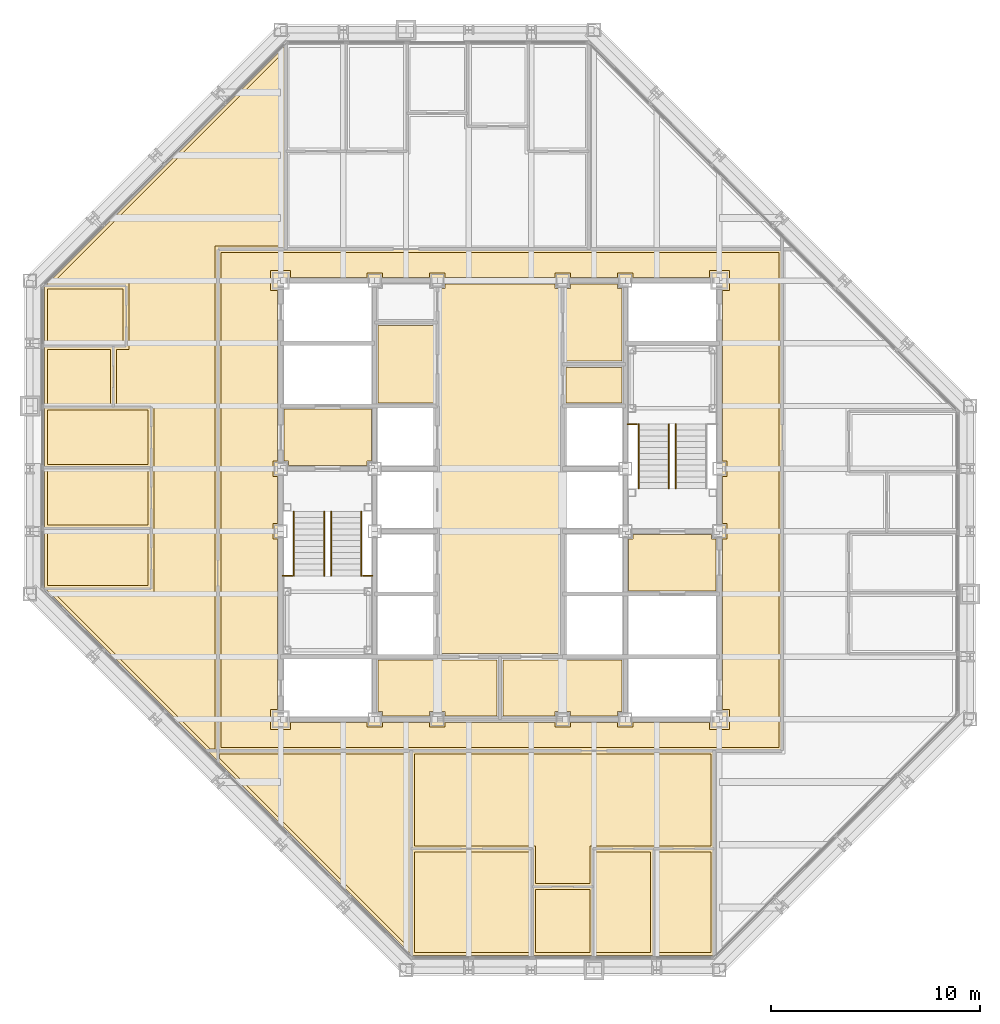
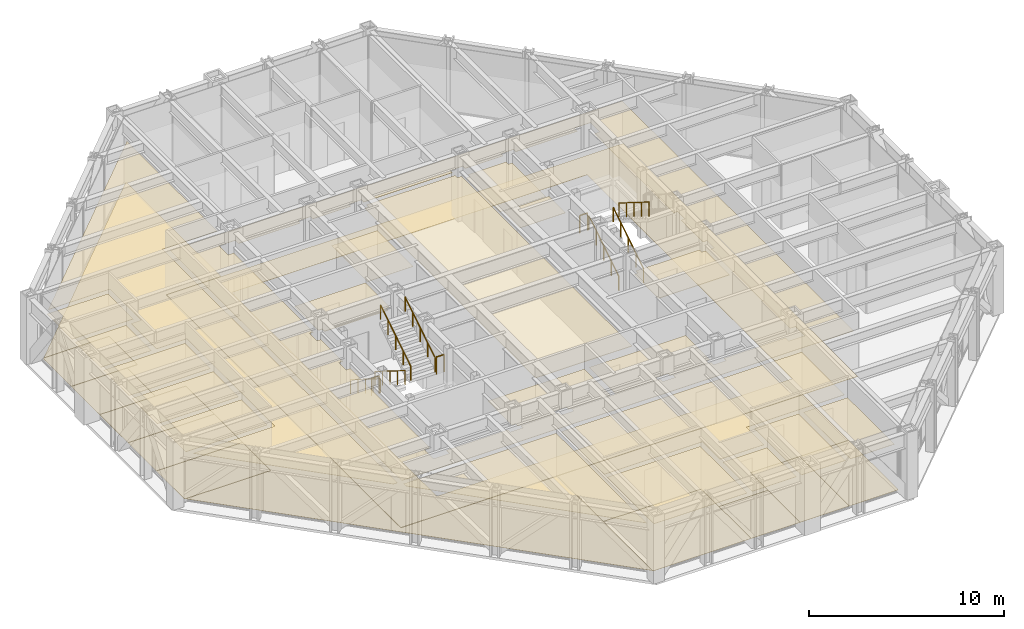
# One storey, part 15 of 16: 33 coverings, 10 railings.
"""IFC4 building model written with IfcOpenShell, lengths in metres."""

from ifc_helpers import new_model, si_unit, direction, frame, origin, origin_2d, place, context, subcontext, project, spatial, polyline, circle, outline, extrude, material, layer, layer_set, type_object, element, save


model = new_model("IFC4")

# Units and contexts
model_context = context("Model", 3, precision=1e-05, world=origin(), true_north=direction((0.0, 1.0)))
body_context = subcontext(model_context, "Body", "Model", "MODEL_VIEW")
ifc_project = project(units=[si_unit("LENGTHUNIT", "METRE"), si_unit("AREAUNIT", "SQUARE_METRE"), si_unit("VOLUMEUNIT", "CUBIC_METRE"), si_unit("PLANEANGLEUNIT", "RADIAN"), si_unit("MASSUNIT", "GRAM", prefix="KILO")], contexts=[model_context])

# Site, building, storey
site_placement = place(None, origin())
site = spatial("IfcSite", under=ifc_project, at=site_placement, CompositionType="ELEMENT")
building_placement = place(site_placement, origin())
building = spatial("IfcBuilding", under=site, at=building_placement, Name="Chuquiago Exchange Tower", CompositionType="ELEMENT")
storey_placement = place(building_placement, frame((0.0, 0.0, 205.5)))
storey = spatial("IfcBuildingStorey", under=building, at=storey_placement, Name="L45", CompositionType="ELEMENT", Elevation=205.5)

# Coverings
ifc_material_1 = material(Name="Mineral fibre tile, 600 x 600, on pale metal grid", Category="mineral fibre")
ifc_layer_1 = layer(ifc_material_1, 0.02001953125)
ifc_layer_set_1 = layer_set([ifc_layer_1], Name="CL1 suspended tile ceiling 20")
covering_type_1 = type_object("IfcCoveringType", Name="CL1 suspended tile ceiling 20", PredefinedType="CEILING", material=ifc_layer_set_1)
covering_1_placement = place(storey_placement, frame((0.0, 0.0, 2.800048828125)))
element("IfcCovering", 1, at=covering_1_placement, inside=storey, type_object=covering_type_1, Name="Ceiling Meeting room", PredefinedType="CEILING", context=body_context, shape_type="SweptSolid", body=[
    extrude(outline(polyline([(18.3984375, 5.64990234375), (23.899658203125, 5.64990234375), (23.899658203125, 0.85009765625), (18.3984375, 0.85009765625), (18.3984375, 5.64990234375)])), origin(), (0.0, 0.0, 1.0), 0.02001953125),
])
covering_2_placement = place(storey_placement, frame((0.0, 0.0, 2.800048828125)))
element("IfcCovering", 2, at=covering_2_placement, inside=storey, type_object=covering_type_1, Name="Ceiling Focus room", PredefinedType="CEILING", context=body_context, shape_type="SweptSolid", body=[
    extrude(outline(polyline([(24.19970703125, 3.85009765625), (26.80029296875, 3.85009765625), (26.80029296875, 0.85009765625), (24.19970703125, 0.85009765625), (24.19970703125, 3.85009765625)])), origin(), (0.0, 0.0, 1.0), 0.02001953125),
])
covering_3_placement = place(storey_placement, frame((0.0, 0.0, 2.800048828125)))
element("IfcCovering", 3, at=covering_3_placement, inside=storey, type_object=covering_type_1, Name="Ceiling Office", PredefinedType="CEILING", context=body_context, shape_type="SweptSolid", body=[
    extrude(outline(polyline([(27.100341796875, 5.64990234375), (29.700927734375, 5.64990234375), (29.700927734375, 0.85009765625), (27.100341796875, 0.85009765625), (27.100341796875, 5.64990234375)])), origin(), (0.0, 0.0, 1.0), 0.02001953125),
])
covering_4_placement = place(storey_placement, frame((0.0, 0.0, 2.800048828125)))
element("IfcCovering", 4, at=covering_4_placement, inside=storey, type_object=covering_type_1, Name="Ceiling Office", PredefinedType="CEILING", context=body_context, shape_type="SweptSolid", body=[
    extrude(outline(polyline([(30.0009765625, 0.85009765625), (30.0009765625, 5.64990234375), (32.6015625, 5.64990234375), (32.6015625, 0.85009765625), (30.0009765625, 0.85009765625)])), origin(), (0.0, 0.0, 1.0), 0.02001953125),
])
covering_5_placement = place(storey_placement, frame((0.0, 0.0, 2.800048828125)))
element("IfcCovering", 5, at=covering_5_placement, inside=storey, type_object=covering_type_1, Name="Ceiling Meeting room", PredefinedType="CEILING", context=body_context, shape_type="SweptSolid", body=[
    extrude(outline(polyline([(0.85009765625, 20.9990234375), (5.64990234375, 20.9990234375), (5.64990234375, 18.3984375), (0.85009765625, 18.3984375), (0.85009765625, 20.9990234375)])), origin(), (0.0, 0.0, 1.0), 0.02001953125),
])
covering_6_placement = place(storey_placement, frame((0.0, 0.0, 2.800048828125)))
element("IfcCovering", 6, at=covering_6_placement, inside=storey, type_object=covering_type_1, Name="Ceiling Office", PredefinedType="CEILING", context=body_context, shape_type="SweptSolid", body=[
    extrude(outline(polyline([(5.64990234375, 23.899658203125), (5.64990234375, 21.299072265625), (0.85009765625, 21.299072265625), (0.85009765625, 23.899658203125), (5.64990234375, 23.899658203125)])), origin(), (0.0, 0.0, 1.0), 0.02001953125),
])
covering_7_placement = place(storey_placement, frame((0.0, 0.0, 2.800048828125)))
element("IfcCovering", 7, at=covering_7_placement, inside=storey, type_object=covering_type_1, Name="Ceiling Office", PredefinedType="CEILING", context=body_context, shape_type="SweptSolid", body=[
    extrude(outline(polyline([(5.64990234375, 26.80029296875), (5.64990234375, 24.19970703125), (0.85009765625, 24.19970703125), (0.85009765625, 26.80029296875), (5.64990234375, 26.80029296875)])), origin(), (0.0, 0.0, 1.0), 0.02001953125),
])
covering_8_placement = place(storey_placement, frame((0.0, 0.0, 2.800048828125)))
element("IfcCovering", 8, at=covering_8_placement, inside=storey, type_object=covering_type_1, Name="Ceiling Focus room", PredefinedType="CEILING", context=body_context, shape_type="SweptSolid", body=[
    extrude(outline(polyline([(3.85009765625, 29.700927734375), (3.85009765625, 27.100341796875), (0.85009765625, 27.100341796875), (0.85009765625, 29.700927734375), (3.85009765625, 29.700927734375)])), origin(), (0.0, 0.0, 1.0), 0.02001953125),
])
covering_9_placement = place(storey_placement, frame((0.0, 0.0, 2.800048828125)))
element("IfcCovering", 9, at=covering_9_placement, inside=storey, type_object=covering_type_1, Name="Ceiling Pantry", PredefinedType="CEILING", context=body_context, shape_type="SweptSolid", body=[
    extrude(outline(polyline([(4.449951171875, 32.6015625), (4.449951171875, 30.0009765625), (0.85009765625, 30.0009765625), (0.85009765625, 32.6015625), (4.449951171875, 32.6015625)])), origin(), (0.0, 0.0, 1.0), 0.02001953125),
])
covering_10_placement = place(storey_placement, frame((0.0, 0.0, 2.800048828125)))
element("IfcCovering", 10, at=covering_10_placement, inside=storey, type_object=covering_type_1, Name="Ceiling Open office south suite", PredefinedType="CEILING", context=body_context, shape_type="SweptSolid", body=[
    extrude(outline(polyline([(26.80029296875, 5.949951171875), (26.80029296875, 4.14990234375), (24.19970703125, 4.14990234375), (24.19970703125, 5.949951171875), (18.39892578125, 5.949951171875), (18.39892578125, 10.349609375), (32.60107421875, 10.349609375), (32.60107421875, 5.949951171875), (26.80029296875, 5.949951171875)])), origin(), (0.0, 0.0, 1.0), 0.02001953125),
])
covering_11_placement = place(storey_placement, frame((0.0, 0.0, 2.800048828125)))
element("IfcCovering", 11, at=covering_11_placement, inside=storey, type_object=covering_type_1, Name="Ceiling Open office west suite", PredefinedType="CEILING", context=body_context, shape_type="SweptSolid", body=[
    extrude(outline(polyline([(5.949951171875, 18.098388671875), (5.949951171875, 27.100341796875), (4.14990234375, 27.100341796875), (4.14990234375, 29.700927734375), (4.75, 29.700927734375), (4.75, 32.901611328125), (1.103515625, 32.901611328125), (12.097900390625, 43.89599609375), (12.097900390625, 34.650390625), (8.849609375, 34.64990234375), (8.849609375, 10.5849609375), (8.616943359375, 10.5849609375), (1.103515625, 18.098388671875), (5.949951171875, 18.098388671875)])), origin(), (0.0, 0.0, 1.0), 0.02001953125),
])
covering_12_placement = place(storey_placement, frame((0.0, 0.0, 2.800048828125)))
element("IfcCovering", 12, at=covering_12_placement, inside=storey, type_object=covering_type_1, Name="Ceiling Open office west suite", PredefinedType="CEILING", context=body_context, shape_type="SweptSolid", body=[
    extrude(outline(polyline([(18.097900390625, 10.349609375), (18.097900390625, 1.10400390625), (9.0849609375, 10.116943359375), (9.0849609375, 10.35009765625), (18.097900390625, 10.349609375)])), origin(), (0.0, 0.0, 1.0), 0.02001953125),
])
covering_13_placement = place(storey_placement, frame((0.0, 0.0, 2.800048828125)))
element("IfcCovering", 13, at=covering_13_placement, inside=storey, type_object=covering_type_1, Name="Ceiling Tenant corridor", PredefinedType="CEILING", context=body_context, shape_type="SweptSolid", body=[
    extrude(outline(polyline([(9.14990234375, 34.35009765625), (35.85009765625, 34.35009765625), (35.85009765625, 10.64990234375), (9.14990234375, 10.64990234375), (9.14990234375, 34.35009765625)]), holes=[polyline([(11.85009765625, 24.375), (11.625, 24.375), (11.625, 23.625), (11.85009765625, 23.625), (11.85009765625, 21.375), (11.625, 21.375), (11.625, 20.625), (11.85009765625, 20.625), (11.85009765625, 12.47509765625), (11.52490234375, 12.47509765625), (11.52490234375, 11.52490234375), (12.47509765625, 11.52490234375), (12.47509765625, 11.85009765625), (16.125, 11.85009765625), (16.125, 11.625), (16.875, 11.625), (16.875, 11.85009765625), (19.125, 11.85009765625), (19.125, 11.625), (19.875, 11.625), (19.875, 11.85009765625), (25.125, 11.85009765625), (25.125, 11.625), (25.875, 11.625), (25.875, 11.85009765625), (28.125, 11.85009765625), (28.125, 11.625), (28.875, 11.625), (28.875, 11.85009765625), (32.52490234375, 11.85009765625), (32.52490234375, 11.52490234375), (33.47509765625, 11.52490234375), (33.47509765625, 12.47509765625), (33.14990234375, 12.47509765625), (33.14990234375, 20.625), (33.375, 20.625), (33.375, 21.375), (33.14990234375, 21.375), (33.14990234375, 23.625), (33.375, 23.625), (33.375, 24.375), (33.14990234375, 24.375), (33.14990234375, 32.52490234375), (33.47509765625, 32.52490234375), (33.47509765625, 33.47509765625), (32.52490234375, 33.47509765625), (32.52490234375, 33.14990234375), (28.875, 33.14990234375), (28.875, 33.375), (28.125, 33.375), (28.125, 33.14990234375), (25.875, 33.14990234375), (25.875, 33.375), (25.125, 33.375), (25.125, 33.14990234375), (19.875, 33.14990234375), (19.875, 33.375), (19.125, 33.375), (19.125, 33.14990234375), (16.875, 33.14990234375), (16.875, 33.375), (16.125, 33.375), (16.125, 33.14990234375), (12.47509765625, 33.14990234375), (12.47509765625, 33.47509765625), (11.52490234375, 33.47509765625), (11.52490234375, 32.52490234375), (11.85009765625, 32.52490234375), (11.85009765625, 24.375)])]), origin(), (0.0, 0.0, 1.0), 0.02001953125),
])
covering_14_placement = place(storey_placement, frame((0.0, 0.0, 2.800048828125)))
element("IfcCovering", 14, at=covering_14_placement, inside=storey, type_object=covering_type_1, Name="Ceiling First aid room", PredefinedType="CEILING", context=body_context, shape_type="SweptSolid", body=[
    extrude(outline(polyline([(25.64990234375, 27.14990234375), (25.64990234375, 28.85009765625), (28.35009765625, 28.85009765625), (28.35009765625, 27.14990234375), (25.64990234375, 27.14990234375)])), origin(), (0.0, 0.0, 1.0), 0.02001953125),
])
ifc_material_2 = material(Name="Moisture resistant plasterboard on metal frame", Category="gypsum")
ifc_layer_2 = layer(ifc_material_2, 0.014892578125)
ifc_layer_set_2 = layer_set([ifc_layer_2], Name="CL2 moisture resistant ceiling 15")
covering_type_2 = type_object("IfcCoveringType", Name="CL2 moisture resistant ceiling 15", PredefinedType="CEILING", material=ifc_layer_set_2)
covering_15_placement = place(storey_placement, frame((0.0, 0.0, 2.60009765625)))
element("IfcCovering", 15, at=covering_15_placement, inside=storey, type_object=covering_type_2, Name="Ceiling Male WC", PredefinedType="CEILING", context=body_context, shape_type="SweptSolid", body=[
    extrude(outline(polyline([(16.64990234375, 27.14990234375), (16.64990234375, 30.85009765625), (19.35009765625, 30.85009765625), (19.35009765625, 27.14990234375), (16.64990234375, 27.14990234375)])), origin(), (0.0, 0.0, 1.0), 0.014892578125),
])
covering_16_placement = place(storey_placement, frame((0.0, 0.0, 2.60009765625)))
element("IfcCovering", 16, at=covering_16_placement, inside=storey, type_object=covering_type_2, Name="Ceiling Female WC", PredefinedType="CEILING", context=body_context, shape_type="SweptSolid", body=[
    extrude(outline(polyline([(25.64990234375, 29.14990234375), (25.64990234375, 32.625), (25.875, 32.625), (25.875, 32.85009765625), (28.125, 32.85009765625), (28.125, 32.625), (28.35009765625, 32.625), (28.35009765625, 29.14990234375), (25.64990234375, 29.14990234375)])), origin(), (0.0, 0.0, 1.0), 0.014892578125),
])
covering_17_placement = place(storey_placement, frame((0.0, 0.0, 2.60009765625)))
element("IfcCovering", 17, at=covering_17_placement, inside=storey, type_object=covering_type_2, Name="Ceiling Accessible WC", PredefinedType="CEILING", context=body_context, shape_type="SweptSolid", body=[
    extrude(outline(polyline([(25.875, 12.14990234375), (25.875, 12.375), (25.125, 12.375), (25.125, 12.14990234375), (22.64990234375, 12.14990234375), (22.64990234375, 14.85009765625), (28.35009765625, 14.85009765625), (28.35009765625, 12.375), (28.125, 12.375), (28.125, 12.14990234375), (25.875, 12.14990234375)])), origin(), (0.0, 0.0, 1.0), 0.014892578125),
])
covering_18_placement = place(storey_placement, frame((0.0, 0.0, 2.60009765625)))
element("IfcCovering", 18, at=covering_18_placement, inside=storey, type_object=covering_type_2, Name="Ceiling Cleaner", PredefinedType="CEILING", context=body_context, shape_type="SweptSolid", body=[
    extrude(outline(polyline([(19.875, 12.14990234375), (19.875, 12.375), (19.125, 12.375), (19.125, 12.14990234375), (16.875, 12.14990234375), (16.875, 12.375), (16.64990234375, 12.375), (16.64990234375, 14.85009765625), (22.35009765625, 14.85009765625), (22.35009765625, 12.14990234375), (19.875, 12.14990234375)])), origin(), (0.0, 0.0, 1.0), 0.014892578125),
])
ifc_material_3 = material(Name="Pale metal plank ceiling, perforated", Category="aluminium")
ifc_layer_3 = layer(ifc_material_3, 0.030029296875)
ifc_layer_set_3 = layer_set([ifc_layer_3], Name="CL3 metal plank ceiling 30")
covering_type_3 = type_object("IfcCoveringType", Name="CL3 metal plank ceiling 30", PredefinedType="CEILING", material=ifc_layer_set_3)
covering_19_placement = place(storey_placement, frame((0.0, 0.0, 2.800048828125)))
element("IfcCovering", 19, at=covering_19_placement, inside=storey, type_object=covering_type_3, Name="Ceiling Lift lobby", PredefinedType="CEILING", context=body_context, shape_type="SweptSolid", body=[
    extrude(outline(polyline([(19.64990234375, 15.14990234375), (19.64990234375, 32.625), (19.875, 32.625), (19.875, 32.85009765625), (25.125, 32.85009765625), (25.125, 32.625), (25.35009765625, 32.625), (25.35009765625, 15.14990234375), (19.64990234375, 15.14990234375)])), origin(), (0.0, 0.0, 1.0), 0.030029296875),
])
covering_20_placement = place(storey_placement, frame((0.0, 0.0, 2.800048828125)))
element("IfcCovering", 20, at=covering_20_placement, inside=storey, type_object=covering_type_3, Name="Ceiling Firefighting lobby", PredefinedType="CEILING", context=body_context, shape_type="SweptSolid", body=[
    extrude(outline(polyline([(12.375, 24.14990234375), (12.375, 24.375), (12.14990234375, 24.375), (12.14990234375, 26.85009765625), (16.35009765625, 26.85009765625), (16.35009765625, 24.375), (16.125, 24.375), (16.125, 24.14990234375), (12.375, 24.14990234375)])), origin(), (0.0, 0.0, 1.0), 0.030029296875),
])
covering_21_placement = place(storey_placement, frame((0.0, 0.0, 2.800048828125)))
element("IfcCovering", 21, at=covering_21_placement, inside=storey, type_object=covering_type_3, Name="Ceiling Firefighting lobby", PredefinedType="CEILING", context=body_context, shape_type="SweptSolid", body=[
    extrude(outline(polyline([(28.64990234375, 18.14990234375), (28.64990234375, 20.625), (28.875, 20.625), (28.875, 20.85009765625), (32.625, 20.85009765625), (32.625, 20.625), (32.85009765625, 20.625), (32.85009765625, 18.14990234375), (28.64990234375, 18.14990234375)])), origin(), (0.0, 0.0, 1.0), 0.030029296875),
])
ifc_material_4 = material(Name="Carpet tile, 500 x 500, on the floor slab", Category="textile")
ifc_layer_4 = layer(ifc_material_4, 0.010009765625)
ifc_layer_set_4 = layer_set([ifc_layer_4], Name="FL1 carpet tile 10")
covering_type_4 = type_object("IfcCoveringType", Name="FL1 carpet tile 10", PredefinedType="FLOORING", material=ifc_layer_set_4)
covering_22_placement = place(storey_placement, origin())
element("IfcCovering", 22, at=covering_22_placement, inside=storey, type_object=covering_type_4, Name="Floor finish Meeting room", PredefinedType="FLOORING", context=body_context, shape_type="SweptSolid", body=[
    extrude(outline(polyline([(18.289794921875, 0.699951171875), (18.24853515625, 0.741455078125), (18.24853515625, 5.800048828125), (24.0498046875, 5.800048828125), (24.0498046875, 0.699951171875), (18.289794921875, 0.699951171875)])), origin(), (0.0, 0.0, 1.0), 0.010009765625),
])
covering_23_placement = place(storey_placement, origin())
element("IfcCovering", 23, at=covering_23_placement, inside=storey, type_object=covering_type_4, Name="Floor finish Focus room", PredefinedType="FLOORING", context=body_context, shape_type="SweptSolid", body=[
    extrude(outline(polyline([(24.0498046875, 0.699951171875), (24.0498046875, 4.0), (26.9501953125, 4.0), (26.9501953125, 0.699951171875), (24.0498046875, 0.699951171875)])), origin(), (0.0, 0.0, 1.0), 0.010009765625),
])
covering_24_placement = place(storey_placement, origin())
element("IfcCovering", 24, at=covering_24_placement, inside=storey, type_object=covering_type_4, Name="Floor finish Office", PredefinedType="FLOORING", context=body_context, shape_type="SweptSolid", body=[
    extrude(outline(polyline([(26.9501953125, 0.699951171875), (26.9501953125, 5.800048828125), (29.850830078125, 5.800048828125), (29.850830078125, 0.699951171875), (26.9501953125, 0.699951171875)])), origin(), (0.0, 0.0, 1.0), 0.010009765625),
])
covering_25_placement = place(storey_placement, origin())
element("IfcCovering", 25, at=covering_25_placement, inside=storey, type_object=covering_type_4, Name="Floor finish Office", PredefinedType="FLOORING", context=body_context, shape_type="SweptSolid", body=[
    extrude(outline(polyline([(32.710205078125, 0.699951171875), (29.850830078125, 0.699951171875), (29.850830078125, 5.800048828125), (32.75146484375, 5.800048828125), (32.75146484375, 0.741455078125), (32.710205078125, 0.699951171875)])), origin(), (0.0, 0.0, 1.0), 0.010009765625),
])
covering_26_placement = place(storey_placement, origin())
element("IfcCovering", 26, at=covering_26_placement, inside=storey, type_object=covering_type_4, Name="Floor finish Meeting room", PredefinedType="FLOORING", context=body_context, shape_type="SweptSolid", body=[
    extrude(outline(polyline([(0.699951171875, 21.149169921875), (5.800048828125, 21.149169921875), (5.800048828125, 18.24853515625), (0.741455078125, 18.24853515625), (0.699951171875, 18.289794921875), (0.699951171875, 21.149169921875)])), origin(), (0.0, 0.0, 1.0), 0.010009765625),
])
covering_27_placement = place(storey_placement, origin())
element("IfcCovering", 27, at=covering_27_placement, inside=storey, type_object=covering_type_4, Name="Floor finish Office", PredefinedType="FLOORING", context=body_context, shape_type="SweptSolid", body=[
    extrude(outline(polyline([(0.699951171875, 24.0498046875), (5.800048828125, 24.0498046875), (5.800048828125, 21.149169921875), (0.699951171875, 21.149169921875), (0.699951171875, 24.0498046875)])), origin(), (0.0, 0.0, 1.0), 0.010009765625),
])
covering_28_placement = place(storey_placement, origin())
element("IfcCovering", 28, at=covering_28_placement, inside=storey, type_object=covering_type_4, Name="Floor finish Office", PredefinedType="FLOORING", context=body_context, shape_type="SweptSolid", body=[
    extrude(outline(polyline([(0.699951171875, 26.9501953125), (5.800048828125, 26.9501953125), (5.800048828125, 24.0498046875), (0.699951171875, 24.0498046875), (0.699951171875, 26.9501953125)])), origin(), (0.0, 0.0, 1.0), 0.010009765625),
])
covering_29_placement = place(storey_placement, origin())
element("IfcCovering", 29, at=covering_29_placement, inside=storey, type_object=covering_type_4, Name="Floor finish Focus room", PredefinedType="FLOORING", context=body_context, shape_type="SweptSolid", body=[
    extrude(outline(polyline([(0.699951171875, 29.850830078125), (4.0, 29.850830078125), (4.0, 26.9501953125), (0.699951171875, 26.9501953125), (0.699951171875, 29.850830078125)])), origin(), (0.0, 0.0, 1.0), 0.010009765625),
])
covering_30_placement = place(storey_placement, origin())
element("IfcCovering", 30, at=covering_30_placement, inside=storey, type_object=covering_type_4, Name="Floor finish Open office south suite", PredefinedType="FLOORING", context=body_context, shape_type="SweptSolid", body=[
    extrude(outline(polyline([(32.7509765625, 5.800048828125), (26.9501953125, 5.800048828125), (26.9501953125, 4.0), (24.0498046875, 4.0), (24.0498046875, 5.800048828125), (18.2490234375, 5.800048828125), (18.2490234375, 10.49951171875), (32.7509765625, 10.49951171875), (32.7509765625, 5.800048828125)])), origin(), (0.0, 0.0, 1.0), 0.010009765625),
])
covering_31_placement = place(storey_placement, origin())
element("IfcCovering", 31, at=covering_31_placement, inside=storey, type_object=covering_type_4, Name="Floor finish Open office west suite", PredefinedType="FLOORING", context=body_context, shape_type="SweptSolid", body=[
    extrude(outline(polyline([(0.741455078125, 18.24853515625), (5.800048828125, 18.24853515625), (5.800048828125, 26.9501953125), (4.0, 26.9501953125), (4.0, 29.850830078125), (4.60009765625, 29.850830078125), (4.60009765625, 32.75146484375), (0.741455078125, 32.75146484375), (12.248046875, 44.258056640625), (12.248046875, 34.50048828125), (8.99951171875, 34.5), (8.99951171875, 10.5), (18.248046875, 10.49951171875), (18.248046875, 0.741943359375), (0.741455078125, 18.24853515625)])), origin(), (0.0, 0.0, 1.0), 0.010009765625),
])
ifc_material_5 = material(Name="Porcelain floor tile, 600 x 600, on adhesive bed", Category="ceramic")
ifc_layer_5 = layer(ifc_material_5, 0.014892578125)
ifc_layer_set_5 = layer_set([ifc_layer_5], Name="FL2 porcelain tile 15")
covering_type_5 = type_object("IfcCoveringType", Name="FL2 porcelain tile 15", PredefinedType="FLOORING", material=ifc_layer_set_5)
covering_32_placement = place(storey_placement, origin())
element("IfcCovering", 32, at=covering_32_placement, inside=storey, type_object=covering_type_5, Name="Floor finish Pantry", PredefinedType="FLOORING", context=body_context, shape_type="SweptSolid", body=[
    extrude(outline(polyline([(0.699951171875, 32.710205078125), (0.741455078125, 32.75146484375), (4.60009765625, 32.75146484375), (4.60009765625, 29.850830078125), (0.699951171875, 29.850830078125), (0.699951171875, 32.710205078125)])), origin(), (0.0, 0.0, 1.0), 0.014892578125),
])
covering_33_placement = place(storey_placement, origin())
element("IfcCovering", 33, at=covering_33_placement, inside=storey, type_object=covering_type_5, Name="Floor finish Tenant corridor", PredefinedType="FLOORING", context=body_context, shape_type="SweptSolid", body=[
    extrude(outline(polyline([(9.0, 10.5), (9.0, 34.5), (36.0, 34.5), (36.0, 10.5), (9.0, 10.5)]), holes=[polyline([(12.0, 33.0), (12.0, 12.0), (33.0, 12.0), (33.0, 33.0), (12.0, 33.0)])]), origin(), (0.0, 0.0, 1.0), 0.014892578125),
])

# Railings
ifc_material_6 = material(Name="Pale metal guard with safety glass infill", Category="glass")
railing_type_1 = type_object("IfcRailingType", Name="GR1 guard 1100", PredefinedType="GUARDRAIL", material=ifc_material_6)
for number, where, name in (
    (34, (12.10009765625, 18.8701171875, 2.10009765625), "Guard ST1 L45 landing 2"),
    (35, (15.945068359375, 18.8701171875, 2.10009765625), "Guard ST1 L45 landing 2"),
    (36, (28.60009765625, 26.1298828125, 2.10009765625), "Guard ST2 L45 landing 2"),
):
    element("IfcRailing", number, at=place(storey_placement, frame(where)), inside=storey, type_object=railing_type_1, Name=name, PredefinedType="GUARDRAIL", context=body_context, shape_type="SweptSolid", body=[
        extrude(circle(Radius=0.02392578125, at=origin_2d()), frame((0.0, 0.0, 1.076171875), z_axis=(1.0, 0.0, 0.0), x_axis=(0.0, 1.0, 0.0)), (0.0, 0.0, 1.0), 0.454833984375),
        extrude(circle(Radius=0.02099609375, at=origin_2d()), origin(), (0.0, 0.0, 1.0), 1.052001953125),
        extrude(circle(Radius=0.02099609375, at=origin_2d()), frame((0.454833984375, 0.0, 0.0)), (0.0, 0.0, 1.0), 1.052001953125),
    ])
ifc_material_7 = material(Name="Pale metal handrail", Category="steel")
railing_type_2 = type_object("IfcRailingType", Name="HR1 handrail 900", PredefinedType="HANDRAIL", material=ifc_material_7)
for number, where, name in (
    (37, (12.635009765625, 21.949951171875, 0.175048828125), "Handrail ST1 L45 flight 1"),
    (38, (14.0849609375, 21.949951171875, 0.175048828125), "Handrail ST1 L45 flight 1"),
):
    element("IfcRailing", number, at=place(storey_placement, frame(where)), inside=storey, type_object=railing_type_2, Name=name, PredefinedType="HANDRAIL", context=body_context, shape_type="SweptSolid", body=[
        extrude(circle(Radius=0.02392578125, at=origin_2d()), frame((0.0, 0.0, 0.8759765625), z_axis=(0.0, -0.847979421464, 0.530029150871), x_axis=(1.0, 0.0, 0.0)), (0.0, 0.0, 1.0), 3.632080078125),
        extrude(circle(Radius=0.02099609375, at=origin_2d()), origin(), (0.0, 0.0, 1.0), 0.851806640625),
        extrude(circle(Radius=0.02099609375, at=origin_2d()), frame((0.0, -0.77001953125, 0.481201171875)), (0.0, 0.0, 1.0), 0.851806640625),
        extrude(circle(Radius=0.02099609375, at=origin_2d()), frame((0.0, -1.5400390625, 0.96240234375)), (0.0, 0.0, 1.0), 0.851806640625),
        extrude(circle(Radius=0.02099609375, at=origin_2d()), frame((0.0, -2.309814453125, 1.44384765625)), (0.0, 0.0, 1.0), 0.851806640625),
        extrude(circle(Radius=0.02099609375, at=origin_2d()), frame((0.0, -3.079833984375, 1.925048828125)), (0.0, 0.0, 1.0), 0.851806640625),
    ])
for number, where, name in (
    (39, (15.864990234375, 18.8701171875, 2.27490234375), "Handrail ST1 L45 flight 2"),
    (40, (14.4150390625, 18.8701171875, 2.27490234375), "Handrail ST1 L45 flight 2"),
    (41, (30.5849609375, 23.050048828125, 0.175048828125), "Handrail ST2 L45 flight 1"),
    (42, (29.135009765625, 23.050048828125, 0.175048828125), "Handrail ST2 L45 flight 1"),
):
    element("IfcRailing", number, at=place(storey_placement, frame(where)), inside=storey, type_object=railing_type_2, Name=name, PredefinedType="HANDRAIL", context=body_context, shape_type="SweptSolid", body=[
        extrude(circle(Radius=0.02392578125, at=origin_2d()), frame((0.0, 0.0, 0.8759765625), z_axis=(0.0, 0.847979421464, 0.530029150871), x_axis=(-1.0, 0.0, 0.0)), (0.0, 0.0, 1.0), 3.632080078125),
        extrude(circle(Radius=0.02099609375, at=origin_2d()), origin(), (0.0, 0.0, 1.0), 0.851806640625),
        extrude(circle(Radius=0.02099609375, at=origin_2d()), frame((0.0, 0.77001953125, 0.481201171875)), (0.0, 0.0, 1.0), 0.851806640625),
        extrude(circle(Radius=0.02099609375, at=origin_2d()), frame((0.0, 1.5400390625, 0.96240234375)), (0.0, 0.0, 1.0), 0.851806640625),
        extrude(circle(Radius=0.02099609375, at=origin_2d()), frame((0.0, 2.309814453125, 1.44384765625)), (0.0, 0.0, 1.0), 0.851806640625),
        extrude(circle(Radius=0.02099609375, at=origin_2d()), frame((0.0, 3.079833984375, 1.925048828125)), (0.0, 0.0, 1.0), 0.851806640625),
    ])
railing_placement = place(storey_placement, frame((30.9150390625, 26.1298828125, 2.27490234375)))
element("IfcRailing", 43, at=railing_placement, inside=storey, type_object=railing_type_2, Name="Handrail ST2 L45 flight 2", PredefinedType="HANDRAIL", context=body_context, shape_type="SweptSolid", body=[
    extrude(circle(Radius=0.02392578125, at=origin_2d()), frame((0.0, 0.0, 0.8759765625), z_axis=(0.0, -0.847979421464, 0.530029150871), x_axis=(1.0, 0.0, 0.0)), (0.0, 0.0, 1.0), 3.632080078125),
    extrude(circle(Radius=0.02099609375, at=origin_2d()), origin(), (0.0, 0.0, 1.0), 0.851806640625),
    extrude(circle(Radius=0.02099609375, at=origin_2d()), frame((0.0, -0.77001953125, 0.481201171875)), (0.0, 0.0, 1.0), 0.851806640625),
    extrude(circle(Radius=0.02099609375, at=origin_2d()), frame((0.0, -1.5400390625, 0.96240234375)), (0.0, 0.0, 1.0), 0.851806640625),
    extrude(circle(Radius=0.02099609375, at=origin_2d()), frame((0.0, -2.309814453125, 1.44384765625)), (0.0, 0.0, 1.0), 0.851806640625),
    extrude(circle(Radius=0.02099609375, at=origin_2d()), frame((0.0, -3.079833984375, 1.925048828125)), (0.0, 0.0, 1.0), 0.851806640625),
])

save(model, "model.ifc")
